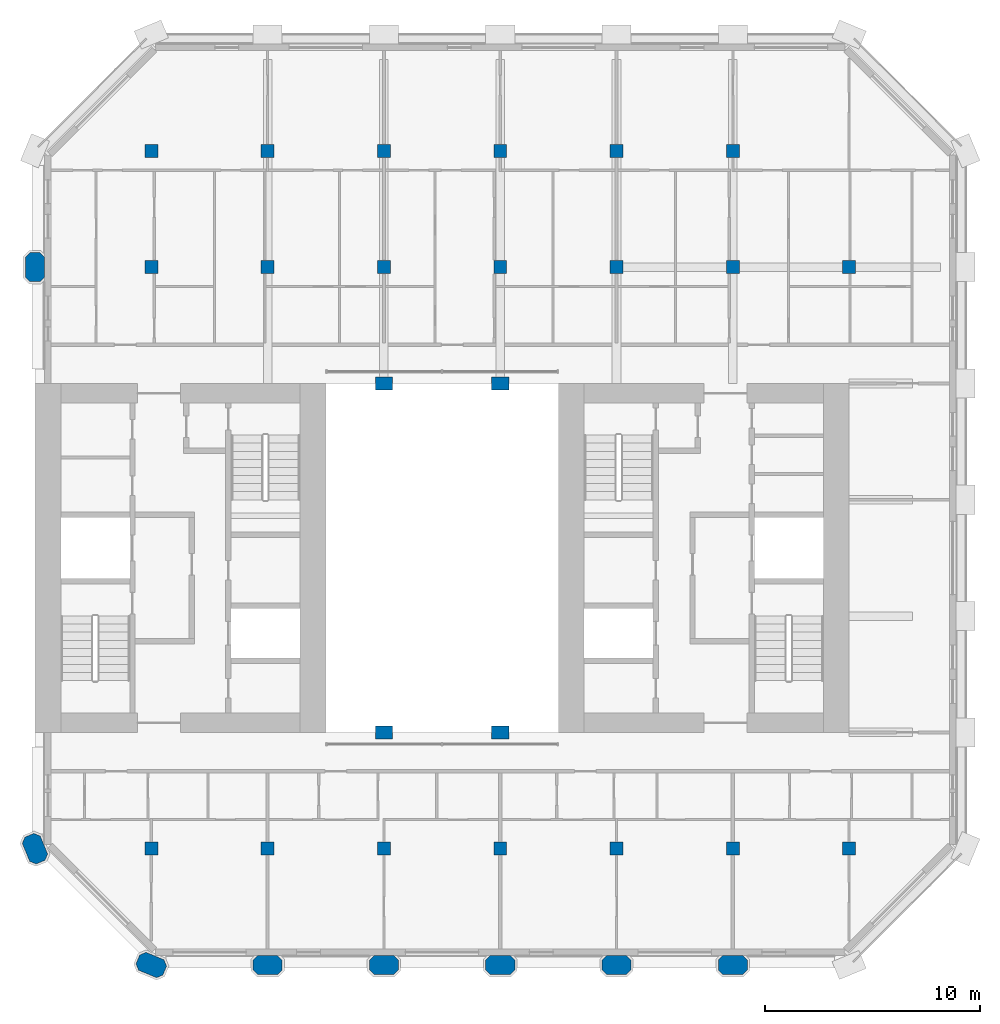
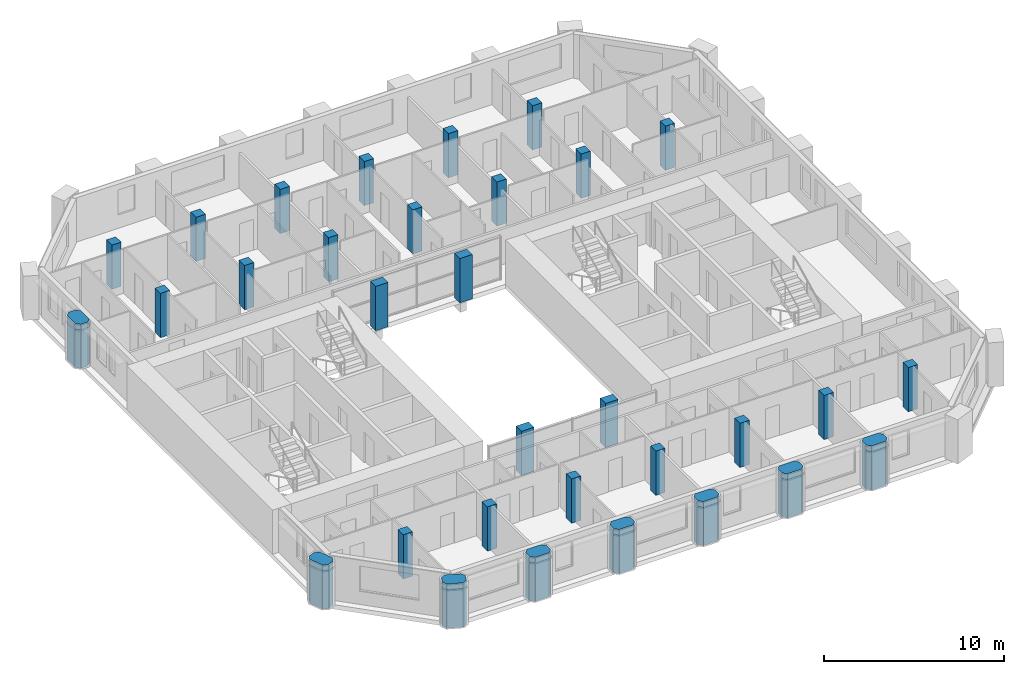
# One storey, part 1 of 13: 32 columns.
"""IFC4 building model written with IfcOpenShell, lengths in metres."""

from ifc_helpers import new_model, si_unit, direction, frame, origin, origin_2d, place, context, subcontext, project, spatial, polyline, rectangle, outline, extrude, material, material_profile, profile_set, type_object, element, save


model = new_model("IFC4")

# Units and contexts
model_context = context("Model", 3, precision=1e-05, world=origin(), true_north=direction((0.0, 1.0)))
body_context = subcontext(model_context, "Body", "Model", "MODEL_VIEW")
ifc_project = project(units=[si_unit("LENGTHUNIT", "METRE"), si_unit("AREAUNIT", "SQUARE_METRE"), si_unit("VOLUMEUNIT", "CUBIC_METRE"), si_unit("PLANEANGLEUNIT", "RADIAN"), si_unit("MASSUNIT", "GRAM", prefix="KILO")], contexts=[model_context])

# Site, building, storey
site_placement = place(None, origin())
site = spatial("IfcSite", under=ifc_project, at=site_placement, CompositionType="ELEMENT")
building_placement = place(site_placement, origin())
building = spatial("IfcBuilding", under=site, at=building_placement, Name="Tabaq Tower and Sports Hall", CompositionType="ELEMENT")
storey_placement = place(building_placement, frame((0.0, 0.0, 301.60009765625)))
storey = spatial("IfcBuildingStorey", under=building, at=storey_placement, Name="L75", CompositionType="ELEMENT", Elevation=301.60009765625)

# Columns
ifc_material_1 = material(Name="Concrete C40/50", Category="concrete")
ifc_material_profile_1 = material_profile(ifc_material_1, rectangle(XDim=0.800048828125, YDim=0.60009765625, at=origin_2d()), Name="ATRIUM COLUMN 800x600")
ifc_profile_set_1 = profile_set([ifc_material_profile_1], Name="Concrete C40/50")
column_type_1 = type_object("IfcColumnType", Name="RC COLUMN ATRIUM COLUMN 800x600 C40/50", PredefinedType="COLUMN", material=ifc_profile_set_1)
for number, where, z_axis, x_axis, name in (
    (1, (21.60009765625, 16.199951171875, 0.0), (0.0, 0.0, 1.0), (1.0, 0.0, 0.0), "Atrium Column 5/D L75"),
    (2, (27.0, 16.199951171875, 0.0), (0.0, 0.0, 1.0), (1.0, 0.0, 0.0), "Atrium Column 6/D L75"),
    (3, (21.60009765625, 32.39990234375, 0.0), (0.0, 0.0, 1.0), (1.0, 0.0, 0.0), "Atrium Column 5/G L75"),
    (4, (27.0, 32.39990234375, 0.0), (0.0, 0.0, 1.0), (1.0, 0.0, 0.0), "Atrium Column 6/G L75"),
):
    element("IfcColumn", number, at=place(storey_placement, frame(where, z_axis=z_axis, x_axis=x_axis)), inside=storey, type_object=column_type_1, Name=name, PredefinedType="COLUMN", context=body_context, shape_type="SweptSolid", body=[
        extrude(rectangle(XDim=0.800048828125, YDim=0.60009765625, at=origin_2d()), origin(), (0.0, 0.0, 1.0), 3.0),
    ])
ifc_material_2 = material(Name="Concrete C40/50", Category="concrete")
ifc_material_profile_2 = material_profile(ifc_material_2, rectangle(XDim=0.60009765625, YDim=0.60009765625, at=origin_2d()), Name="COLUMN 600x600")
ifc_profile_set_2 = profile_set([ifc_material_profile_2], Name="Concrete C40/50")
column_type_2 = type_object("IfcColumnType", Name="RC COLUMN COLUMN 600x600 C40/50", PredefinedType="COLUMN", material=ifc_profile_set_2)
for number, where, z_axis, x_axis, name in (
    (5, (10.800048828125, 10.800048828125, 0.0), (0.0, 0.0, 1.0), (1.0, 0.0, 0.0), "Column 3/C L75"),
    (6, (16.199951171875, 10.800048828125, 0.0), (0.0, 0.0, 1.0), (1.0, 0.0, 0.0), "Column 4/C L75"),
    (7, (21.60009765625, 10.800048828125, 0.0), (0.0, 0.0, 1.0), (1.0, 0.0, 0.0), "Column 5/C L75"),
    (8, (27.0, 10.800048828125, 0.0), (0.0, 0.0, 1.0), (1.0, 0.0, 0.0), "Column 6/C L75"),
    (9, (32.39990234375, 10.800048828125, 0.0), (0.0, 0.0, 1.0), (1.0, 0.0, 0.0), "Column 7/C L75"),
    (10, (37.800048828125, 10.800048828125, 0.0), (0.0, 0.0, 1.0), (1.0, 0.0, 0.0), "Column 8/C L75"),
    (11, (43.199951171875, 10.800048828125, 0.0), (0.0, 0.0, 1.0), (1.0, 0.0, 0.0), "Column 9/C L75"),
    (12, (10.800048828125, 37.800048828125, 0.0), (0.0, 0.0, 1.0), (1.0, 0.0, 0.0), "Column 3/H L75"),
    (13, (16.199951171875, 37.800048828125, 0.0), (0.0, 0.0, 1.0), (1.0, 0.0, 0.0), "Column 4/H L75"),
    (14, (21.60009765625, 37.800048828125, 0.0), (0.0, 0.0, 1.0), (1.0, 0.0, 0.0), "Column 5/H L75"),
    (15, (27.0, 37.800048828125, 0.0), (0.0, 0.0, 1.0), (1.0, 0.0, 0.0), "Column 6/H L75"),
    (16, (32.39990234375, 37.800048828125, 0.0), (0.0, 0.0, 1.0), (1.0, 0.0, 0.0), "Column 7/H L75"),
    (17, (37.800048828125, 37.800048828125, 0.0), (0.0, 0.0, 1.0), (1.0, 0.0, 0.0), "Column 8/H L75"),
    (18, (43.199951171875, 37.800048828125, 0.0), (0.0, 0.0, 1.0), (1.0, 0.0, 0.0), "Column 9/H L75"),
    (19, (10.800048828125, 43.199951171875, 0.0), (0.0, 0.0, 1.0), (1.0, 0.0, 0.0), "Column 3/I L75"),
    (20, (16.199951171875, 43.199951171875, 0.0), (0.0, 0.0, 1.0), (1.0, 0.0, 0.0), "Column 4/I L75"),
    (21, (21.60009765625, 43.199951171875, 0.0), (0.0, 0.0, 1.0), (1.0, 0.0, 0.0), "Column 5/I L75"),
    (22, (27.0, 43.199951171875, 0.0), (0.0, 0.0, 1.0), (1.0, 0.0, 0.0), "Column 6/I L75"),
    (23, (32.39990234375, 43.199951171875, 0.0), (0.0, 0.0, 1.0), (1.0, 0.0, 0.0), "Column 7/I L75"),
    (24, (37.800048828125, 43.199951171875, 0.0), (0.0, 0.0, 1.0), (1.0, 0.0, 0.0), "Column 8/I L75"),
):
    element("IfcColumn", number, at=place(storey_placement, frame(where, z_axis=z_axis, x_axis=x_axis)), inside=storey, type_object=column_type_2, Name=name, PredefinedType="COLUMN", context=body_context, shape_type="SweptSolid", body=[
        extrude(rectangle(XDim=0.60009765625, YDim=0.60009765625, at=origin_2d()), origin(), (0.0, 0.0, 1.0), 3.0),
    ])
ifc_material_3 = material(Name="Concrete C40/50", Category="concrete")
ifc_material_profile_3 = material_profile(ifc_material_3, outline(polyline([(-0.449951171875, -0.449951171875), (0.449951171875, -0.449951171875), (0.675048828125, -0.22509765625), (0.675048828125, 0.22509765625), (0.449951171875, 0.449951171875), (-0.449951171875, 0.449951171875), (-0.675048828125, 0.22509765625), (-0.675048828125, -0.22509765625), (-0.449951171875, -0.449951171875)])), Name="PIER 1350x900")
ifc_profile_set_3 = profile_set([ifc_material_profile_3], Name="Concrete C40/50")
column_type_3 = type_object("IfcColumnType", Name="RC COLUMN PIER 1350x900 C40/50", PredefinedType="COLUMN", material=ifc_profile_set_3)
for number, where, z_axis, x_axis, name in (
    (25, (10.800048828125, 5.39990234375, 0.0), (0.0, 0.0, 1.0), (-0.923879532511, 0.382683432365, 0.0), "Pier 3/B L75"),
    (26, (16.199951171875, 5.39990234375, 0.0), (0.0, 0.0, 1.0), (1.0, 0.0, 0.0), "Pier 4/B L75"),
    (27, (21.60009765625, 5.39990234375, 0.0), (0.0, 0.0, 1.0), (1.0, 0.0, 0.0), "Pier 5/B L75"),
    (28, (27.0, 5.39990234375, 0.0), (0.0, 0.0, 1.0), (1.0, 0.0, 0.0), "Pier 6/B L75"),
    (29, (32.39990234375, 5.39990234375, 0.0), (0.0, 0.0, 1.0), (1.0, 0.0, 0.0), "Pier 7/B L75"),
    (30, (37.800048828125, 5.39990234375, 0.0), (0.0, 0.0, 1.0), (1.0, 0.0, 0.0), "Pier 8/B L75"),
    (31, (5.39990234375, 10.800048828125, 0.0), (0.0, 0.0, 1.0), (-0.382683432365, 0.923879532511, 0.0), "Pier 2/C L75"),
    (32, (5.39990234375, 37.800048828125, 0.0), (0.0, 0.0, 1.0), (0.0, 1.0, 0.0), "Pier 2/H L75"),
):
    element("IfcColumn", number, at=place(storey_placement, frame(where, z_axis=z_axis, x_axis=x_axis)), inside=storey, type_object=column_type_3, Name=name, PredefinedType="COLUMN", context=body_context, shape_type="SweptSolid", body=[
        extrude(outline(polyline([(-0.449951171875, -0.449951171875), (0.449951171875, -0.449951171875), (0.675048828125, -0.22509765625), (0.675048828125, 0.22509765625), (0.449951171875, 0.449951171875), (-0.449951171875, 0.449951171875), (-0.675048828125, 0.22509765625), (-0.675048828125, -0.22509765625), (-0.449951171875, -0.449951171875)])), origin(), (0.0, 0.0, 1.0), 3.0),
    ])

save(model, "model.ifc")
